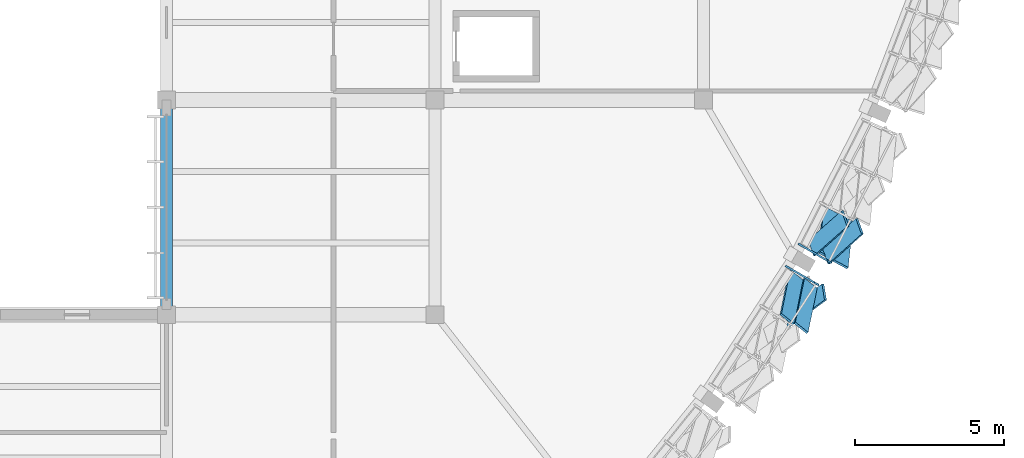
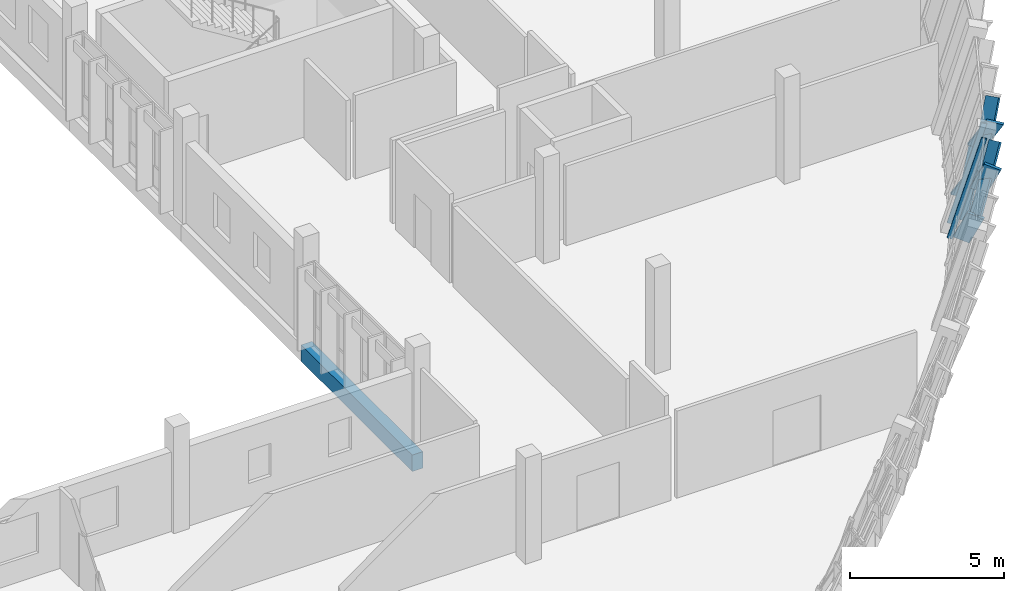
# One storey, part 52 of 107: 9 members, 1 beam, 2 elements without a shape of their own.
"""IFC4 building model written with IfcOpenShell, lengths in metres."""

from ifc_helpers import new_model, si_unit, direction, frame, origin, origin_2d, place, context, subcontext, project, spatial, rectangle, hollow_rectangle, extrude, material, material_profile, profile_set, type_object, element, aggregate, save


model = new_model("IFC4")

# Units and contexts
model_context = context("Model", 3, precision=1e-05, world=origin(), true_north=direction((0.0, 1.0)))
body_context = subcontext(model_context, "Body", "Model", "MODEL_VIEW")
ifc_project = project(units=[si_unit("LENGTHUNIT", "METRE"), si_unit("AREAUNIT", "SQUARE_METRE"), si_unit("VOLUMEUNIT", "CUBIC_METRE"), si_unit("PLANEANGLEUNIT", "RADIAN"), si_unit("MASSUNIT", "GRAM", prefix="KILO")], contexts=[model_context])

# Site, building, storey
site_placement = place(None, origin())
site = spatial("IfcSite", under=ifc_project, at=site_placement, CompositionType="ELEMENT")
building_placement = place(site_placement, origin())
building = spatial("IfcBuilding", under=site, at=building_placement, Name="Chiffa Square Polytechnic", CompositionType="ELEMENT")
storey_placement = place(building_placement, frame((0.0, 0.0, 13.800048828125)))
storey = spatial("IfcBuildingStorey", under=building, at=storey_placement, Name="L03", CompositionType="ELEMENT", Elevation=13.800048828125)

# Beam
ifc_material_1 = material(Name="Concrete C35/45", Category="concrete")
ifc_material_profile_1 = material_profile(ifc_material_1, rectangle(XDim=0.39990234375, YDim=0.64990234375, at=origin_2d()), Name="RC 400x650")
ifc_profile_set_1 = profile_set([ifc_material_profile_1], Name="Concrete C35/45")
beam_type = type_object("IfcBeamType", Name="BM-RC-400X650", PredefinedType="BEAM", material=ifc_profile_set_1)
beam_placement = place(storey_placement, frame((148.199951171875, 28.800048828125, -0.5849609375), z_axis=(0.0, 1.0, 0.0), x_axis=(-1.0, 0.0, 0.0)))
element("IfcBeam", 1, at=beam_placement, inside=storey, type_object=beam_type, Name="Primary floor girder BM-V1-L03-Y-1482-0288", PredefinedType="BEAM", context=body_context, shape_type="SweptSolid", body=[
    extrude(rectangle(XDim=0.39990234375, YDim=0.64990234375, at=origin_2d()), origin(), (0.0, 0.0, 1.0), 7.199951171875),
])

# Curtain wall, member
ifc_material_2 = material(Name="Aluminium EN AW-6060 T66 and glulam shading", Category="wood")
curtain_wall_type_1 = type_object("IfcCurtainWallType", Name="CW-PROW-LEAN-300", PredefinedType="USERDEFINED", material=ifc_material_2)
curtain_wall_1_placement = place(storey_placement, origin())
curtain_wall_1 = element("IfcCurtainWall", 2, at=curtain_wall_1_placement, inside=storey, type_object=curtain_wall_type_1, Name="Outward-leaning diamond-fin prow curtain wall CW-V1-L03-055", ObjectType="CURTAIN WALL", PredefinedType="USERDEFINED")
ifc_material_3 = material(Name="Aluminium EN AW-6060 T66", Category="aluminium")
ifc_material_profile_2 = material_profile(ifc_material_3, hollow_rectangle(XDim=0.06494140625, YDim=0.179931640625, WallThickness=0.00390625, at=origin_2d()), Name="ALU 65x180x4")
ifc_profile_set_2 = profile_set([ifc_material_profile_2], Name="Aluminium EN AW-6060 T66")
member_type_1 = type_object("IfcMemberType", Name="CWM-ALU-75X180", PredefinedType="MULLION", material=ifc_profile_set_2)
member_1_placement = place(storey_placement, frame((169.029052734375, 30.39501953125, 0.0), z_axis=(0.235690310904, -0.136324272453, 0.96221919025), x_axis=(0.500684098121, 0.865630079127, 0.0)))
member_1 = element("IfcMember", 3, at=member_1_placement, type_object=member_type_1, Name="Leaning prow mullion CW-V1-L03-055-M03", PredefinedType="MULLION", context=body_context, shape_type="SweptSolid", body=[
    extrude(hollow_rectangle(XDim=0.06494140625, YDim=0.179931640625, WallThickness=0.00390625, at=origin_2d()), origin(), (0.0, 0.0, 1.0), 4.115478515625),
])

curtain_wall_type_2 = type_object("IfcCurtainWallType", Name="CW-PROW-LEAN-150", PredefinedType="USERDEFINED", material=ifc_material_2)
curtain_wall_2_placement = place(storey_placement, origin())
curtain_wall_2 = element("IfcCurtainWall", 4, at=curtain_wall_2_placement, inside=storey, type_object=curtain_wall_type_2, Name="Outward-leaning diamond-fin prow curtain wall CW-V1-L03-056", ObjectType="CURTAIN WALL", PredefinedType="USERDEFINED")
member_2_placement = place(storey_placement, frame((169.4580078125, 31.138916015625, 0.0), z_axis=(0.235690310904, -0.136324272453, 0.96221919025), x_axis=(0.500684098121, 0.865630079127, 0.0)))
member_2 = element("IfcMember", 5, at=member_2_placement, type_object=member_type_1, Name="Leaning prow mullion CW-V1-L03-056-M00", PredefinedType="MULLION", context=body_context, shape_type="SweptSolid", body=[
    extrude(hollow_rectangle(XDim=0.06494140625, YDim=0.179931640625, WallThickness=0.00390625, at=origin_2d()), origin(), (0.0, 0.0, 1.0), 4.115478515625),
])

# Member
ifc_material_4 = material(Name="Glulam GL28h", Category="wood")
ifc_material_profile_3 = material_profile(ifc_material_4, rectangle(XDim=0.080078125, YDim=0.580078125, at=origin_2d()), Name="GL28h 80x580")
ifc_profile_set_3 = profile_set([ifc_material_profile_3], Name="Glulam GL28h")
member_type_2 = type_object("IfcMemberType", Name="CWM-GL-80X580", PredefinedType="MULLION", material=ifc_profile_set_3)
member_3_placement = place(storey_placement, frame((169.305908203125, 30.113037109375, 0.0400390625), z_axis=(-0.120519335372, -0.597508526111, 0.79275384012), x_axis=(0.66534369189, 0.544047200758, 0.511204865988)))
member_3 = element("IfcMember", 6, at=member_3_placement, type_object=member_type_2, Name="Diamond glulam fin CW-V1-L03-055-DF05B", PredefinedType="MULLION", context=body_context, shape_type="SweptSolid", body=[
    extrude(rectangle(XDim=0.080078125, YDim=0.580078125, at=origin_2d()), origin(), (0.0, 0.0, 1.0), 2.447021484375),
])

member_4_placement = place(storey_placement, frame((169.010986328125, 28.65087890625, 1.97998046875), z_axis=(0.502035198359, 0.367338021488, 0.782958132711), x_axis=(-0.851546044798, 0.051790717355, 0.521715492568)))
member_4 = element("IfcMember", 7, at=member_4_placement, type_object=member_type_2, Name="Diamond glulam fin CW-V1-L03-055-DF06A", PredefinedType="MULLION", context=body_context, shape_type="SweptSolid", body=[
    extrude(rectangle(XDim=0.080078125, YDim=0.580078125, at=origin_2d()), origin(), (0.0, 0.0, 1.0), 2.477783203125),
])

member_5_placement = place(storey_placement, frame((169.781005859375, 29.8369140625, 1.97998046875), z_axis=(-0.124132170614, -0.600783804135, 0.789715154285), x_axis=(0.667387043037, 0.538406802051, 0.514502332639)))
member_5 = element("IfcMember", 8, at=member_5_placement, type_object=member_type_2, Name="Diamond glulam fin CW-V1-L03-055-DF06B", PredefinedType="MULLION", context=body_context, shape_type="SweptSolid", body=[
    extrude(rectangle(XDim=0.080078125, YDim=0.580078125, at=origin_2d()), origin(), (0.0, 0.0, 1.0), 2.45654296875),
])

aggregate(curtain_wall_1, [member_1, member_3, member_4, member_5])

member_6_placement = place(storey_placement, frame((169.841064453125, 31.0400390625, 0.0400390625), z_axis=(0.456960538642, 0.402971534186, 0.792969740129), x_axis=(-0.830197048313, -0.126809774837, 0.542855544301)))
member_6 = element("IfcMember", 9, at=member_6_placement, type_object=member_type_2, Name="Diamond glulam fin CW-V1-L03-056-DF01A", PredefinedType="MULLION", context=body_context, shape_type="SweptSolid", body=[
    extrude(rectangle(XDim=0.080078125, YDim=0.580078125, at=origin_2d()), origin(), (0.0, 0.0, 1.0), 2.446533203125),
])

member_7_placement = place(storey_placement, frame((170.47509765625, 32.284912109375, 0.0400390625), z_axis=(-0.064080048464, -0.61518824305, 0.785771705397), x_axis=(0.524082648478, 0.649325473221, 0.551102356547)))
member_7 = element("IfcMember", 10, at=member_7_placement, type_object=member_type_2, Name="Diamond glulam fin CW-V1-L03-056-DF01B", PredefinedType="MULLION", context=body_context, shape_type="SweptSolid", body=[
    extrude(rectangle(XDim=0.080078125, YDim=0.580078125, at=origin_2d()), origin(), (0.0, 0.0, 1.0), 2.46875),
])

member_8_placement = place(storey_placement, frame((170.31689453125, 30.76611328125, 1.97998046875), z_axis=(0.458024997602, 0.407928513489, 0.789814807062), x_axis=(-0.827464711244, -0.129017998278, 0.546494746331)))
member_8 = element("IfcMember", 11, at=member_8_placement, type_object=member_type_2, Name="Diamond glulam fin CW-V1-L03-056-DF02A", PredefinedType="MULLION", context=body_context, shape_type="SweptSolid", body=[
    extrude(rectangle(XDim=0.080078125, YDim=0.580078125, at=origin_2d()), origin(), (0.0, 0.0, 1.0), 2.456298828125),
])

member_9_placement = place(storey_placement, frame((170.958984375, 32.02587890625, 1.97998046875), z_axis=(-0.066977228785, -0.618849894792, 0.782648617542), x_axis=(0.526389209321, 0.644446939, 0.554619277634)))
member_9 = element("IfcMember", 12, at=member_9_placement, type_object=member_type_2, Name="Diamond glulam fin CW-V1-L03-056-DF02B", PredefinedType="MULLION", context=body_context, shape_type="SweptSolid", body=[
    extrude(rectangle(XDim=0.080078125, YDim=0.580078125, at=origin_2d()), origin(), (0.0, 0.0, 1.0), 2.478759765625),
])

aggregate(curtain_wall_2, [member_2, member_6, member_7, member_8, member_9])

save(model, "model.ifc")
